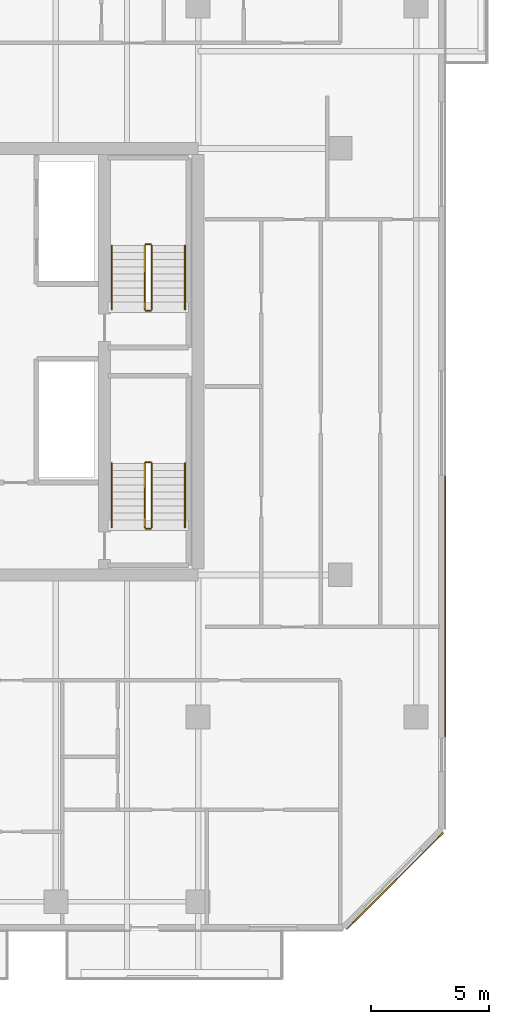
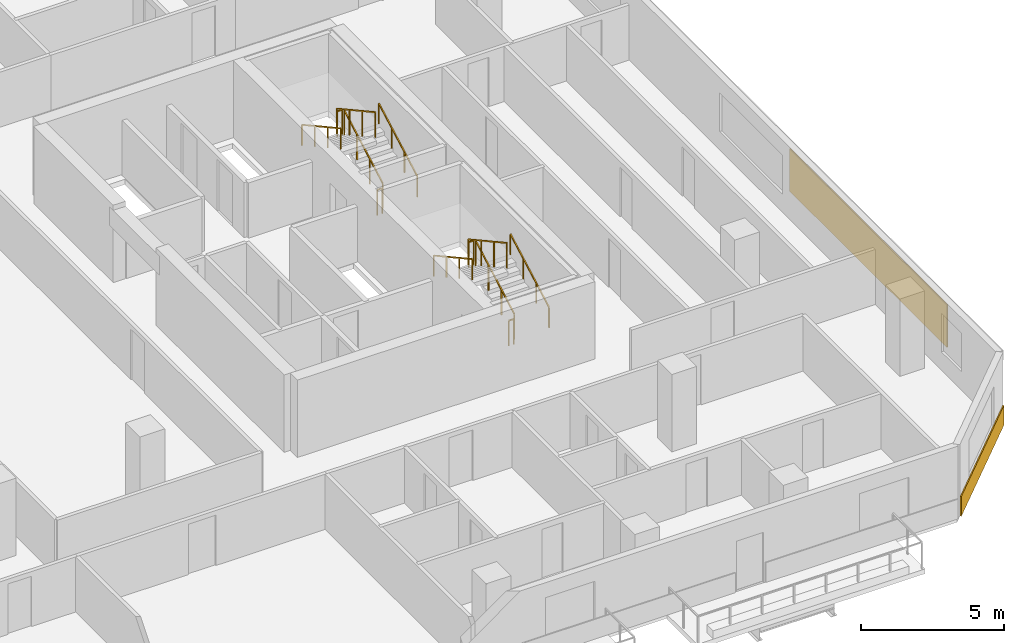
# One storey, part 22 of 23: 12 railings, 2 coverings.
"""IFC4 building model written with IfcOpenShell, lengths in metres."""

from ifc_helpers import new_model, si_unit, direction, frame, origin, origin_2d, place, context, subcontext, project, spatial, rectangle, extrude, material, layer, layer_set, type_object, element, save


model = new_model("IFC4")

# Units and contexts
model_context = context("Model", 3, precision=1e-05, world=origin(), true_north=direction((0.0, 1.0)))
body_context = subcontext(model_context, "Body", "Model", "MODEL_VIEW")
ifc_project = project(units=[si_unit("LENGTHUNIT", "METRE"), si_unit("AREAUNIT", "SQUARE_METRE"), si_unit("VOLUMEUNIT", "CUBIC_METRE"), si_unit("PLANEANGLEUNIT", "RADIAN"), si_unit("MASSUNIT", "GRAM", prefix="KILO")], contexts=[model_context])

# Site, building, storey
site_placement = place(None, origin())
site = spatial("IfcSite", under=ifc_project, at=site_placement, CompositionType="ELEMENT")
building_placement = place(site_placement, origin())
building = spatial("IfcBuilding", under=site, at=building_placement, Name="Tanjung Sevakor Pilgrim Tower", CompositionType="ELEMENT")
storey_placement = place(building_placement, frame((0.0, 0.0, 82.169921875)))
storey = spatial("IfcBuildingStorey", under=building, at=storey_placement, Name="L22", CompositionType="ELEMENT", Elevation=82.169921875)

# Coverings
ifc_material_1 = material(Name="Reconstructed Limestone Cladding", Category="masonry")
ifc_layer = layer(ifc_material_1, 0.044921875)
ifc_layer_set = layer_set([ifc_layer], Name="COV-CLAD-LIMESTONE")
covering_type = type_object("IfcCoveringType", Name="COV-CLAD-LIMESTONE", PredefinedType="CLADDING", material=ifc_layer_set)
covering_1_placement = place(storey_placement, frame((98.31591796875, 11.68408203125, 0.01025390625), z_axis=(0.0, 0.0, 1.0), x_axis=(0.707106781187, 0.707106781187, 0.0)))
element("IfcCovering", 1, at=covering_1_placement, inside=storey, type_object=covering_type, Name="L22 Warm Limestone Sill Spandrel EW-CHM-L22-MAIN-5-1", PredefinedType="CLADDING", context=body_context, shape_type="SweptSolid", body=[
    extrude(rectangle(XDim=5.756103515625, YDim=0.044921875, at=origin_2d()), origin(), (0.0, 0.0, 1.0), 0.840087890625),
])
covering_2_placement = place(storey_placement, frame((100.422607421875, 23.258056640625, 0.85009765625), z_axis=(0.0, 0.0, 1.0), x_axis=(0.0, 1.0, 0.0)))
element("IfcCovering", 2, at=covering_2_placement, inside=storey, type_object=covering_type, Name="L22 Warm Limestone Pier Panel EW-L22-MAIN-7-1", PredefinedType="CLADDING", context=body_context, shape_type="SweptSolid", body=[
    extrude(rectangle(XDim=11.004150390625, YDim=0.044921875, at=origin_2d()), origin(), (0.0, 0.0, 1.0), 1.81005859375),
])

# Railings
ifc_material_2 = material(Name="Steel S355J2", Category="steel")
railing_type_1 = type_object("IfcRailingType", Name="RL-STAIR-GUARD", PredefinedType="GUARDRAIL", material=ifc_material_2)
railing_1_placement = place(storey_placement, frame((88.050048828125, 26.60009765625, 0.1650390625)))
element("IfcRailing", 3, at=railing_1_placement, inside=storey, type_object=railing_type_1, Name="L22 TS-E1 stair guard 1", PredefinedType="GUARDRAIL", context=body_context, shape_type="SweptSolid", body=[
    extrude(rectangle(XDim=0.0479, YDim=0.0479), frame((0.0, 0.0, 1.076171875), z_axis=(0.0, 0.876197507361, 0.481952205197), x_axis=(-1.0, 0.0, 0.0)), (0.0, 0.0, 1.0), 3.08154296875),
    extrude(rectangle(XDim=0.042, YDim=0.042), origin(), (0.0, 0.0, 1.0), 1.052001953125),
    extrude(rectangle(XDim=0.042, YDim=0.042), frame((0.0, 0.89990234375, 0.4951171875)), (0.0, 0.0, 1.0), 1.052001953125),
    extrude(rectangle(XDim=0.042, YDim=0.042), frame((0.0, 1.800048828125, 0.989990234375)), (0.0, 0.0, 1.0), 1.052001953125),
    extrude(rectangle(XDim=0.042, YDim=0.042), frame((0.0, 2.699951171875, 1.485107421875)), (0.0, 0.0, 1.0), 1.052001953125),
])
railing_2_placement = place(storey_placement, frame((88.0, 29.35009765625, 1.650146484375)))
element("IfcRailing", 4, at=railing_2_placement, inside=storey, type_object=railing_type_1, Name="L22 TS-E1 stair guard 2", PredefinedType="GUARDRAIL", context=body_context, shape_type="SweptSolid", body=[
    extrude(rectangle(XDim=0.0479, YDim=0.0479), frame((0.0, 0.0, 1.076171875), z_axis=(-1.0, 0.0, 0.0), x_axis=(0.0, -1.0, 0.0)), (0.0, 0.0, 1.0), 0.199951171875),
    extrude(rectangle(XDim=0.042, YDim=0.042), origin(), (0.0, 0.0, 1.0), 1.052001953125),
    extrude(rectangle(XDim=0.042, YDim=0.042), frame((-0.199951171875, 0.0, 0.0)), (0.0, 0.0, 1.0), 1.052001953125),
])
railing_3_placement = place(storey_placement, frame((87.75, 29.300048828125, 1.815185546875)))
element("IfcRailing", 5, at=railing_3_placement, inside=storey, type_object=railing_type_1, Name="L22 TS-E1 stair guard 3", PredefinedType="GUARDRAIL", context=body_context, shape_type="SweptSolid", body=[
    extrude(rectangle(XDim=0.0479, YDim=0.0479), frame((0.0, 0.0, 1.076171875), z_axis=(0.0, -0.876230963923, 0.481891375584), x_axis=(1.0, 0.0, 0.0)), (0.0, 0.0, 1.0), 3.081298828125),
    extrude(rectangle(XDim=0.042, YDim=0.042), origin(), (0.0, 0.0, 1.0), 1.052001953125),
    extrude(rectangle(XDim=0.042, YDim=0.042), frame((0.0, -0.89990234375, 0.494873046875)), (0.0, 0.0, 1.0), 1.052001953125),
    extrude(rectangle(XDim=0.042, YDim=0.042), frame((0.0, -1.800048828125, 0.989990234375)), (0.0, 0.0, 1.0), 1.052001953125),
    extrude(rectangle(XDim=0.042, YDim=0.042), frame((0.0, -2.699951171875, 1.48486328125)), (0.0, 0.0, 1.0), 1.052001953125),
])
railing_4_placement = place(storey_placement, frame((88.0, 26.550048828125, 0.0)))
element("IfcRailing", 6, at=railing_4_placement, inside=storey, type_object=railing_type_1, Name="L22 TS-E1 stair guard 4", PredefinedType="GUARDRAIL", context=body_context, shape_type="SweptSolid", body=[
    extrude(rectangle(XDim=0.0479, YDim=0.0479), frame((0.0, 0.0, 1.076171875), z_axis=(-1.0, 0.0, 0.0), x_axis=(0.0, -1.0, 0.0)), (0.0, 0.0, 1.0), 0.199951171875),
    extrude(rectangle(XDim=0.042, YDim=0.042), origin(), (0.0, 0.0, 1.0), 1.052001953125),
    extrude(rectangle(XDim=0.042, YDim=0.042), frame((-0.199951171875, 0.0, 0.0)), (0.0, 0.0, 1.0), 1.052001953125),
])
railing_5_placement = place(storey_placement, frame((88.050048828125, 35.800048828125, 0.1650390625)))
element("IfcRailing", 7, at=railing_5_placement, inside=storey, type_object=railing_type_1, Name="L22 TS-E2 stair guard 1", PredefinedType="GUARDRAIL", context=body_context, shape_type="SweptSolid", body=[
    extrude(rectangle(XDim=0.0479, YDim=0.0479), frame((0.0, 0.0, 1.076171875), z_axis=(0.0, 0.876197507361, 0.481952205197), x_axis=(-1.0, 0.0, 0.0)), (0.0, 0.0, 1.0), 3.08154296875),
    extrude(rectangle(XDim=0.042, YDim=0.042), origin(), (0.0, 0.0, 1.0), 1.052001953125),
    extrude(rectangle(XDim=0.042, YDim=0.042), frame((0.0, 0.89990234375, 0.4951171875)), (0.0, 0.0, 1.0), 1.052001953125),
    extrude(rectangle(XDim=0.042, YDim=0.042), frame((0.0, 1.800048828125, 0.989990234375)), (0.0, 0.0, 1.0), 1.052001953125),
    extrude(rectangle(XDim=0.042, YDim=0.042), frame((0.0, 2.699951171875, 1.485107421875)), (0.0, 0.0, 1.0), 1.052001953125),
])
railing_6_placement = place(storey_placement, frame((88.0, 38.550048828125, 1.650146484375)))
element("IfcRailing", 8, at=railing_6_placement, inside=storey, type_object=railing_type_1, Name="L22 TS-E2 stair guard 2", PredefinedType="GUARDRAIL", context=body_context, shape_type="SweptSolid", body=[
    extrude(rectangle(XDim=0.0479, YDim=0.0479), frame((0.0, 0.0, 1.076171875), z_axis=(-1.0, 0.0, 0.0), x_axis=(0.0, -1.0, 0.0)), (0.0, 0.0, 1.0), 0.199951171875),
    extrude(rectangle(XDim=0.042, YDim=0.042), origin(), (0.0, 0.0, 1.0), 1.052001953125),
    extrude(rectangle(XDim=0.042, YDim=0.042), frame((-0.199951171875, 0.0, 0.0)), (0.0, 0.0, 1.0), 1.052001953125),
])
railing_7_placement = place(storey_placement, frame((87.75, 38.5, 1.815185546875)))
element("IfcRailing", 9, at=railing_7_placement, inside=storey, type_object=railing_type_1, Name="L22 TS-E2 stair guard 3", PredefinedType="GUARDRAIL", context=body_context, shape_type="SweptSolid", body=[
    extrude(rectangle(XDim=0.0479, YDim=0.0479), frame((0.0, 0.0, 1.076171875), z_axis=(0.0, -0.876230963923, 0.481891375584), x_axis=(1.0, 0.0, 0.0)), (0.0, 0.0, 1.0), 3.081298828125),
    extrude(rectangle(XDim=0.042, YDim=0.042), origin(), (0.0, 0.0, 1.0), 1.052001953125),
    extrude(rectangle(XDim=0.042, YDim=0.042), frame((0.0, -0.89990234375, 0.494873046875)), (0.0, 0.0, 1.0), 1.052001953125),
    extrude(rectangle(XDim=0.042, YDim=0.042), frame((0.0, -1.800048828125, 0.989990234375)), (0.0, 0.0, 1.0), 1.052001953125),
    extrude(rectangle(XDim=0.042, YDim=0.042), frame((0.0, -2.699951171875, 1.48486328125)), (0.0, 0.0, 1.0), 1.052001953125),
])
railing_8_placement = place(storey_placement, frame((88.0, 35.75, 0.0)))
element("IfcRailing", 10, at=railing_8_placement, inside=storey, type_object=railing_type_1, Name="L22 TS-E2 stair guard 4", PredefinedType="GUARDRAIL", context=body_context, shape_type="SweptSolid", body=[
    extrude(rectangle(XDim=0.0479, YDim=0.0479), frame((0.0, 0.0, 1.076171875), z_axis=(-1.0, 0.0, 0.0), x_axis=(0.0, -1.0, 0.0)), (0.0, 0.0, 1.0), 0.199951171875),
    extrude(rectangle(XDim=0.042, YDim=0.042), origin(), (0.0, 0.0, 1.0), 1.052001953125),
    extrude(rectangle(XDim=0.042, YDim=0.042), frame((-0.199951171875, 0.0, 0.0)), (0.0, 0.0, 1.0), 1.052001953125),
])
ifc_material_3 = material(Name="Steel S355J2", Category="steel")
railing_type_2 = type_object("IfcRailingType", Name="RL-STAIR-HAND", PredefinedType="HANDRAIL", material=ifc_material_3)
railing_9_placement = place(storey_placement, frame((89.449951171875, 26.60009765625, 0.1650390625)))
element("IfcRailing", 11, at=railing_9_placement, inside=storey, type_object=railing_type_2, Name="L22 TS-E1 stair handrail 1", PredefinedType="HANDRAIL", context=body_context, shape_type="SweptSolid", body=[
    extrude(rectangle(XDim=0.0479, YDim=0.0479), frame((0.0, 0.0, 0.8759765625), z_axis=(0.0, 0.876197507361, 0.481952205197), x_axis=(-1.0, 0.0, 0.0)), (0.0, 0.0, 1.0), 3.08154296875),
    extrude(rectangle(XDim=0.042, YDim=0.042), origin(), (0.0, 0.0, 1.0), 0.851806640625),
    extrude(rectangle(XDim=0.042, YDim=0.042), frame((0.0, 0.89990234375, 0.4951171875)), (0.0, 0.0, 1.0), 0.851806640625),
    extrude(rectangle(XDim=0.042, YDim=0.042), frame((0.0, 1.800048828125, 0.989990234375)), (0.0, 0.0, 1.0), 0.851806640625),
    extrude(rectangle(XDim=0.042, YDim=0.042), frame((0.0, 2.699951171875, 1.485107421875)), (0.0, 0.0, 1.0), 0.851806640625),
])
railing_10_placement = place(storey_placement, frame((86.35009765625, 29.300048828125, 1.815185546875)))
element("IfcRailing", 12, at=railing_10_placement, inside=storey, type_object=railing_type_2, Name="L22 TS-E1 stair handrail 2", PredefinedType="HANDRAIL", context=body_context, shape_type="SweptSolid", body=[
    extrude(rectangle(XDim=0.0479, YDim=0.0479), frame((0.0, 0.0, 0.8759765625), z_axis=(0.0, -0.876230963923, 0.481891375584), x_axis=(1.0, 0.0, 0.0)), (0.0, 0.0, 1.0), 3.081298828125),
    extrude(rectangle(XDim=0.042, YDim=0.042), origin(), (0.0, 0.0, 1.0), 0.851806640625),
    extrude(rectangle(XDim=0.042, YDim=0.042), frame((0.0, -0.89990234375, 0.494873046875)), (0.0, 0.0, 1.0), 0.851806640625),
    extrude(rectangle(XDim=0.042, YDim=0.042), frame((0.0, -1.800048828125, 0.989990234375)), (0.0, 0.0, 1.0), 0.851806640625),
    extrude(rectangle(XDim=0.042, YDim=0.042), frame((0.0, -2.699951171875, 1.48486328125)), (0.0, 0.0, 1.0), 0.851806640625),
])
railing_11_placement = place(storey_placement, frame((89.449951171875, 35.800048828125, 0.1650390625)))
element("IfcRailing", 13, at=railing_11_placement, inside=storey, type_object=railing_type_2, Name="L22 TS-E2 stair handrail 1", PredefinedType="HANDRAIL", context=body_context, shape_type="SweptSolid", body=[
    extrude(rectangle(XDim=0.0479, YDim=0.0479), frame((0.0, 0.0, 0.8759765625), z_axis=(0.0, 0.876197507361, 0.481952205197), x_axis=(-1.0, 0.0, 0.0)), (0.0, 0.0, 1.0), 3.08154296875),
    extrude(rectangle(XDim=0.042, YDim=0.042), origin(), (0.0, 0.0, 1.0), 0.851806640625),
    extrude(rectangle(XDim=0.042, YDim=0.042), frame((0.0, 0.89990234375, 0.4951171875)), (0.0, 0.0, 1.0), 0.851806640625),
    extrude(rectangle(XDim=0.042, YDim=0.042), frame((0.0, 1.800048828125, 0.989990234375)), (0.0, 0.0, 1.0), 0.851806640625),
    extrude(rectangle(XDim=0.042, YDim=0.042), frame((0.0, 2.699951171875, 1.485107421875)), (0.0, 0.0, 1.0), 0.851806640625),
])
railing_12_placement = place(storey_placement, frame((86.35009765625, 38.5, 1.815185546875)))
element("IfcRailing", 14, at=railing_12_placement, inside=storey, type_object=railing_type_2, Name="L22 TS-E2 stair handrail 2", PredefinedType="HANDRAIL", context=body_context, shape_type="SweptSolid", body=[
    extrude(rectangle(XDim=0.0479, YDim=0.0479), frame((0.0, 0.0, 0.8759765625), z_axis=(0.0, -0.876230963923, 0.481891375584), x_axis=(1.0, 0.0, 0.0)), (0.0, 0.0, 1.0), 3.081298828125),
    extrude(rectangle(XDim=0.042, YDim=0.042), origin(), (0.0, 0.0, 1.0), 0.851806640625),
    extrude(rectangle(XDim=0.042, YDim=0.042), frame((0.0, -0.89990234375, 0.494873046875)), (0.0, 0.0, 1.0), 0.851806640625),
    extrude(rectangle(XDim=0.042, YDim=0.042), frame((0.0, -1.800048828125, 0.989990234375)), (0.0, 0.0, 1.0), 0.851806640625),
    extrude(rectangle(XDim=0.042, YDim=0.042), frame((0.0, -2.699951171875, 1.48486328125)), (0.0, 0.0, 1.0), 0.851806640625),
])

save(model, "model.ifc")
